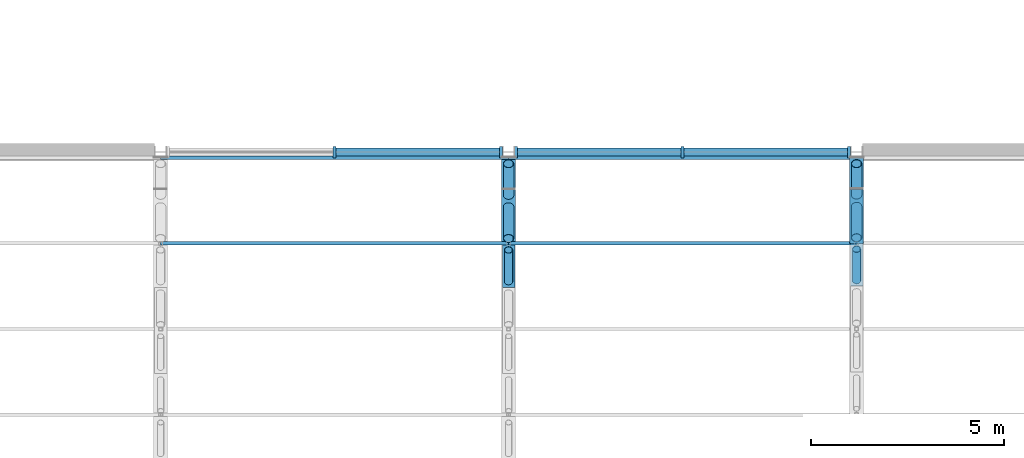
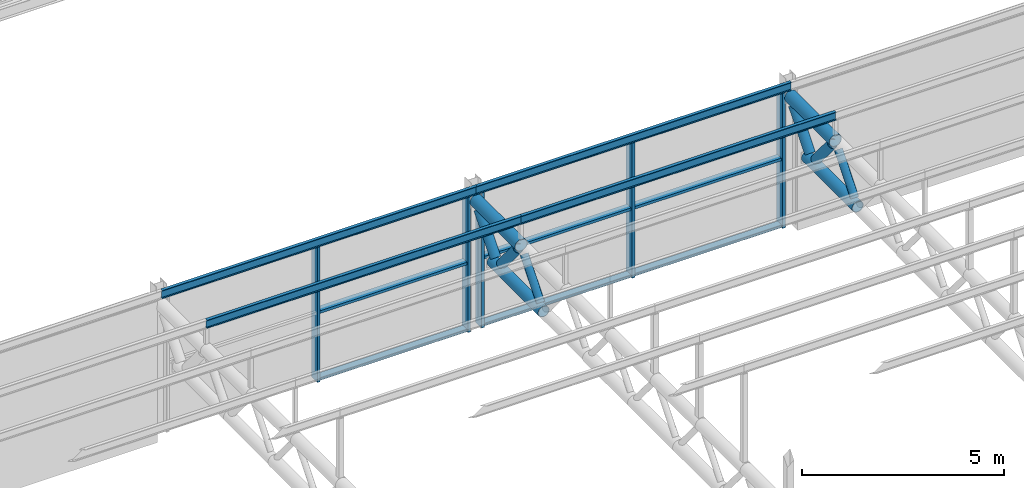
# One storey, part 39 of 138: 28 members, 2 elements without a shape of their own.
"""IFC4 building model written with IfcOpenShell, lengths in metres."""

from ifc_helpers import new_model, si_unit, direction, frame, origin, origin_2d, place, context, subcontext, project, spatial, rectangle, hollow_circle, i_section, extrude, material, layer, layer_set, material_profile, profile_set, type_object, element, aggregate, save


model = new_model("IFC4")

# Units and contexts
model_context = context("Model", 3, precision=1e-05, world=origin(), true_north=direction((0.0, 1.0)))
body_context = subcontext(model_context, "Body", "Model", "MODEL_VIEW")
ifc_project = project(units=[si_unit("LENGTHUNIT", "METRE"), si_unit("AREAUNIT", "SQUARE_METRE"), si_unit("VOLUMEUNIT", "CUBIC_METRE"), si_unit("PLANEANGLEUNIT", "RADIAN"), si_unit("MASSUNIT", "GRAM", prefix="KILO")], contexts=[model_context])

# Site, building, storey
site_placement = place(None, origin())
site = spatial("IfcSite", under=ifc_project, at=site_placement, CompositionType="ELEMENT")
building_placement = place(site_placement, origin())
building = spatial("IfcBuilding", under=site, at=building_placement, Name="Corbel Yard City Hall", CompositionType="ELEMENT")
storey_placement = place(building_placement, frame((0.0, 0.0, 10.5)))
storey = spatial("IfcBuildingStorey", under=building, at=storey_placement, Name="L02", CompositionType="ELEMENT", Elevation=10.5)

# Members
ifc_material_1 = material(Name="Steel Grade 300 (300 MPa yield)", Category="steel")
ifc_material_profile_1 = material_profile(ifc_material_1, i_section(OverallWidth=0.090087890625, OverallDepth=0.25, WebThickness=0.008056640625, FlangeThickness=0.014892578125, at=origin_2d()), Name="250PFC")
ifc_profile_set_1 = profile_set([ifc_material_profile_1], Name="Steel Grade 300 (300 MPa yield)")
member_type_1 = type_object("IfcMemberType", Name="Eaves purlin 250PFC", PredefinedType="PURLIN", material=ifc_profile_set_1)
for number, where, z_axis, x_axis, name in (
    (1, (45.0, 26.847412109375, 4.24658203125), (1.0, 0.0, 0.0), (0.0, 1.0, 0.0), "Eaves purlin 250PFC PU2"),
    (2, (54.0, 26.847412109375, 4.24658203125), (1.0, 0.0, 0.0), (0.0, 1.0, 0.0), "Eaves purlin 250PFC PU2"),
):
    element("IfcMember", number, at=place(storey_placement, frame(where, z_axis=z_axis, x_axis=x_axis)), inside=storey, type_object=member_type_1, Name=name, PredefinedType="PURLIN", context=body_context, shape_type="SweptSolid", body=[
        extrude(i_section(OverallWidth=0.090087890625, OverallDepth=0.25, WebThickness=0.008056640625, FlangeThickness=0.014892578125, at=origin_2d()), origin(), (0.0, 0.0, 1.0), 9.0),
    ])
ifc_material_2 = material(Name="Steel Grade C350L0", Category="steel")
ifc_material_profile_2 = material_profile(ifc_material_2, hollow_circle(Radius=0.161865234375, WallThickness=0.0126953125, at=origin_2d()), Name="323.9x12.7CHS")
ifc_profile_set_2 = profile_set([ifc_material_profile_2], Name="Steel Grade C350L0")
member_type_2 = type_object("IfcMemberType", Name="Hall roof truss bottom chord 323.9x12.7CHS", PredefinedType="CHORD", material=ifc_profile_set_2)
member_1_placement = place(storey_placement, frame((54.0, 23.5009765625, 2.59228515625), z_axis=(0.0, 1.0, 0.0), x_axis=(-1.0, 0.0, 0.0)))
element("IfcMember", 3, at=member_1_placement, inside=storey, type_object=member_type_2, Name="Hall roof truss bottom chord 323.9x12.7CHS TC2", PredefinedType="CHORD", context=body_context, shape_type="SweptSolid", body=[
    extrude(hollow_circle(Radius=0.161865234375, WallThickness=0.0126953125, at=origin_2d()), origin(), (0.0, 0.0, 1.0), 2.531005859375),
])
member_2_placement = place(storey_placement, frame((63.0, 23.52978515625, 2.59228515625), z_axis=(0.0, 1.0, 0.0), x_axis=(-1.0, 0.0, 0.0)))
element("IfcMember", 4, at=member_2_placement, inside=storey, type_object=member_type_2, Name="Hall roof truss bottom chord 323.9x12.7CHS TC2", PredefinedType="CHORD", context=body_context, shape_type="SweptSolid", body=[
    extrude(hollow_circle(Radius=0.161865234375, WallThickness=0.0126953125, at=origin_2d()), origin(), (0.0, 0.0, 1.0), 2.51171875),
])
ifc_material_profile_3 = material_profile(ifc_material_2, hollow_circle(Radius=0.109619140625, WallThickness=0.00830078125, at=origin_2d()), Name="219.1x8.2CHS")
ifc_profile_set_3 = profile_set([ifc_material_profile_3], Name="Steel Grade C350L0")
member_type_3 = type_object("IfcMemberType", Name="Hall roof truss diagonal 219.1x8.2CHS", PredefinedType="STRUT", material=ifc_profile_set_3)
member_3_placement = place(storey_placement, frame((54.0, 23.650146484375, 2.77001953125), z_axis=(0.0, 0.642692233301, 0.766124463292), x_axis=(-1.0, 0.0, 0.0)))
element("IfcMember", 5, at=member_3_placement, inside=storey, type_object=member_type_3, Name="Hall roof truss diagonal 219.1x8.2CHS TD2", PredefinedType="STRUT", context=body_context, shape_type="SweptSolid", body=[
    extrude(hollow_circle(Radius=0.109619140625, WallThickness=0.00830078125, at=origin_2d()), origin(), (0.0, 0.0, 1.0), 1.271728515625),
])
member_4_placement = place(storey_placement, frame((63.0, 23.677490234375, 2.77001953125), z_axis=(0.0, 0.639407153698, 0.768868318894), x_axis=(-1.0, 0.0, 0.0)))
element("IfcMember", 6, at=member_4_placement, inside=storey, type_object=member_type_3, Name="Hall roof truss diagonal 219.1x8.2CHS TD2", PredefinedType="STRUT", context=body_context, shape_type="SweptSolid", body=[
    extrude(hollow_circle(Radius=0.109619140625, WallThickness=0.00830078125, at=origin_2d()), origin(), (0.0, 0.0, 1.0), 1.267333984375),
])
ifc_material_profile_4 = material_profile(ifc_material_2, hollow_circle(Radius=0.136474609375, WallThickness=0.00927734375, at=origin_2d()), Name="273.1x9.3CHS")
ifc_profile_set_4 = profile_set([ifc_material_profile_4], Name="Steel Grade C350L0")
member_type_4 = type_object("IfcMemberType", Name="Hall roof truss diagonal 273.1x9.3CHS", PredefinedType="STRUT", material=ifc_profile_set_4)
for number, where, z_axis, x_axis, name in (
    (7, (54.0, 24.765625, 3.744384765625), (0.0, 0.642692233301, -0.766124463292), (-1.0, 0.0, 0.0), "Hall roof truss diagonal 273.1x9.3CHS TD1"),
    (8, (54.0, 25.881103515625, 2.77001953125), (0.0, 0.642692233301, 0.766124463292), (-1.0, 0.0, 0.0), "Hall roof truss diagonal 273.1x9.3CHS TD1"),
):
    element("IfcMember", number, at=place(storey_placement, frame(where, z_axis=z_axis, x_axis=x_axis)), inside=storey, type_object=member_type_4, Name=name, PredefinedType="STRUT", context=body_context, shape_type="SweptSolid", body=[
        extrude(hollow_circle(Radius=0.136474609375, WallThickness=0.00927734375, at=origin_2d()), origin(), (0.0, 0.0, 1.0), 1.271728515625),
    ])
for number, where, z_axis, x_axis, name in (
    (9, (63.0, 24.783447265625, 3.744384765625), (0.0, 0.639407153698, -0.768868318894), (-1.0, 0.0, 0.0), "Hall roof truss diagonal 273.1x9.3CHS TD1"),
    (10, (63.0, 25.889404296875, 2.77001953125), (0.0, 0.639407153698, 0.768868318894), (-1.0, 0.0, 0.0), "Hall roof truss diagonal 273.1x9.3CHS TD1"),
):
    element("IfcMember", number, at=place(storey_placement, frame(where, z_axis=z_axis, x_axis=x_axis)), inside=storey, type_object=member_type_4, Name=name, PredefinedType="STRUT", context=body_context, shape_type="SweptSolid", body=[
        extrude(hollow_circle(Radius=0.136474609375, WallThickness=0.00927734375, at=origin_2d()), origin(), (0.0, 0.0, 1.0), 1.267333984375),
    ])
ifc_material_profile_5 = material_profile(ifc_material_2, hollow_circle(Radius=0.177734375, WallThickness=0.0126953125, at=origin_2d()), Name="355.6x12.7CHS")
ifc_profile_set_5 = profile_set([ifc_material_profile_5], Name="Steel Grade C350L0")
member_type_5 = type_object("IfcMemberType", Name="Hall roof truss top chord 355.6x12.7CHS", PredefinedType="CHORD", material=ifc_profile_set_5)
member_5_placement = place(storey_placement, frame((54.0, 24.616455078125, 3.922119140625), z_axis=(0.0, 1.0, 0.0), x_axis=(-1.0, 0.0, 0.0)))
element("IfcMember", 11, at=member_5_placement, inside=storey, type_object=member_type_5, Name="Hall roof truss top chord 355.6x12.7CHS TC1", PredefinedType="CHORD", context=body_context, shape_type="SweptSolid", body=[
    extrude(hollow_circle(Radius=0.177734375, WallThickness=0.0126953125, at=origin_2d()), origin(), (0.0, 0.0, 1.0), 2.23095703125),
])
member_6_placement = place(storey_placement, frame((63.0, 24.6357421875, 3.922119140625), z_axis=(0.0, 1.0, 0.0), x_axis=(-1.0, 0.0, 0.0)))
element("IfcMember", 12, at=member_6_placement, inside=storey, type_object=member_type_5, Name="Hall roof truss top chord 355.6x12.7CHS TC1", PredefinedType="CHORD", context=body_context, shape_type="SweptSolid", body=[
    extrude(hollow_circle(Radius=0.177734375, WallThickness=0.0126953125, at=origin_2d()), origin(), (0.0, 0.0, 1.0), 2.211669921875),
])

# Curtain wall, members
ifc_material_3 = material(Name="Aluminium extrusion", Category="aluminium")
ifc_layer = layer(ifc_material_3, 0.300048828125)
ifc_layer_set = layer_set([ifc_layer], Name="Aluminium extrusion")
curtain_wall_type = type_object("IfcCurtainWallType", Name="CW7", PredefinedType="USERDEFINED", material=ifc_layer_set)
curtain_wall_1_placement = place(storey_placement, origin())
curtain_wall_1 = element("IfcCurtainWall", 13, at=curtain_wall_1_placement, inside=storey, type_object=curtain_wall_type, Name="Curtain wall CW7 L02", ObjectType="CURTAIN WALL", PredefinedType="USERDEFINED")
ifc_material_profile_6 = material_profile(ifc_material_3, rectangle(XDim=0.300048828125, YDim=0.080078125, at=origin_2d()), Name="300x80")
ifc_profile_set_6 = profile_set([ifc_material_profile_6], Name="Aluminium extrusion")
member_type_6 = type_object("IfcMemberType", Name="ML7", PredefinedType="MULLION", material=ifc_profile_set_6)
member_7_placement = place(storey_placement, frame((49.5, 27.0, 0.0), z_axis=(0.0, 0.0, 1.0), x_axis=(0.0, 1.0, 0.0)))
member_7 = element("IfcMember", 14, at=member_7_placement, type_object=member_type_6, Name="CW7 mullion 2", PredefinedType="MULLION", context=body_context, shape_type="SweptSolid", body=[
    extrude(rectangle(XDim=0.300048828125, YDim=0.080078125, at=origin_2d()), origin(), (0.0, 0.0, 1.0), 4.12158203125),
])
member_8_placement = place(storey_placement, frame((53.805908203125, 27.0, 0.0), z_axis=(0.0, 0.0, 1.0), x_axis=(0.0, 1.0, 0.0)))
member_8 = element("IfcMember", 15, at=member_8_placement, type_object=member_type_6, Name="CW7 mullion 3", PredefinedType="MULLION", context=body_context, shape_type="SweptSolid", body=[
    extrude(rectangle(XDim=0.300048828125, YDim=0.080078125, at=origin_2d()), origin(), (0.0, 0.0, 1.0), 4.12158203125),
])

curtain_wall_2_placement = place(storey_placement, origin())
curtain_wall_2 = element("IfcCurtainWall", 16, at=curtain_wall_2_placement, inside=storey, type_object=curtain_wall_type, Name="Curtain wall CW7 L02", ObjectType="CURTAIN WALL", PredefinedType="USERDEFINED")
member_9_placement = place(storey_placement, frame((54.194091796875, 27.0, 0.0), z_axis=(0.0, 0.0, 1.0), x_axis=(0.0, 1.0, 0.0)))
member_9 = element("IfcMember", 17, at=member_9_placement, type_object=member_type_6, Name="CW7 mullion 1", PredefinedType="MULLION", context=body_context, shape_type="SweptSolid", body=[
    extrude(rectangle(XDim=0.300048828125, YDim=0.080078125, at=origin_2d()), origin(), (0.0, 0.0, 1.0), 4.12158203125),
])
member_10_placement = place(storey_placement, frame((58.5, 27.0, 0.0), z_axis=(0.0, 0.0, 1.0), x_axis=(0.0, 1.0, 0.0)))
member_10 = element("IfcMember", 18, at=member_10_placement, type_object=member_type_6, Name="CW7 mullion 2", PredefinedType="MULLION", context=body_context, shape_type="SweptSolid", body=[
    extrude(rectangle(XDim=0.300048828125, YDim=0.080078125, at=origin_2d()), origin(), (0.0, 0.0, 1.0), 4.12158203125),
])
member_11_placement = place(storey_placement, frame((62.805908203125, 27.0, 0.0), z_axis=(0.0, 0.0, 1.0), x_axis=(0.0, 1.0, 0.0)))
member_11 = element("IfcMember", 19, at=member_11_placement, type_object=member_type_6, Name="CW7 mullion 3", PredefinedType="MULLION", context=body_context, shape_type="SweptSolid", body=[
    extrude(rectangle(XDim=0.300048828125, YDim=0.080078125, at=origin_2d()), origin(), (0.0, 0.0, 1.0), 4.12158203125),
])

# Members
ifc_material_profile_7 = material_profile(ifc_material_1, i_section(OverallWidth=0.090087890625, OverallDepth=0.25, WebThickness=0.008056640625, FlangeThickness=0.014892578125, at=origin_2d()), Name="250PFC")
ifc_profile_set_7 = profile_set([ifc_material_profile_7], Name="Steel Grade 300 (300 MPa yield)")
member_type_7 = type_object("IfcMemberType", Name="Purlin 250PFC", PredefinedType="PURLIN", material=ifc_profile_set_7)
for number, where, z_axis, x_axis, name in (
    (20, (45.0, 24.6357421875, 4.68896484375), (1.0, 0.0, 0.0), (0.0, 1.0, 0.0), "Purlin 250PFC PU1"),
    (21, (54.0, 24.6357421875, 4.68896484375), (1.0, 0.0, 0.0), (0.0, 1.0, 0.0), "Purlin 250PFC PU1"),
):
    element("IfcMember", number, at=place(storey_placement, frame(where, z_axis=z_axis, x_axis=x_axis)), inside=storey, type_object=member_type_7, Name=name, PredefinedType="PURLIN", context=body_context, shape_type="SweptSolid", body=[
        extrude(i_section(OverallWidth=0.090087890625, OverallDepth=0.25, WebThickness=0.008056640625, FlangeThickness=0.014892578125, at=origin_2d()), origin(), (0.0, 0.0, 1.0), 9.0),
    ])

# Member
ifc_material_profile_8 = material_profile(ifc_material_3, rectangle(XDim=0.199951171875, YDim=0.080078125, at=origin_2d()), Name="200x80")
ifc_profile_set_8 = profile_set([ifc_material_profile_8], Name="Aluminium extrusion")
member_type_8 = type_object("IfcMemberType", Name="TR7", PredefinedType="USERDEFINED", material=ifc_profile_set_8)
member_12_placement = place(storey_placement, frame((49.5400390625, 27.0, 0.0400390625), z_axis=(1.0, 0.0, 0.0), x_axis=(0.0, 1.0, 0.0)))
member_12 = element("IfcMember", 22, at=member_12_placement, type_object=member_type_8, Name="CW7 transom 2.1", ObjectType="TRANSOM", PredefinedType="USERDEFINED", context=body_context, shape_type="SweptSolid", body=[
    extrude(rectangle(XDim=0.199951171875, YDim=0.080078125, at=origin_2d()), origin(), (0.0, 0.0, 1.0), 4.22607421875),
])

member_13_placement = place(storey_placement, frame((49.5400390625, 27.0, 2.060791015625), z_axis=(1.0, 0.0, 0.0), x_axis=(0.0, 1.0, 0.0)))
member_13 = element("IfcMember", 23, at=member_13_placement, type_object=member_type_8, Name="CW7 transom 2.2", ObjectType="TRANSOM", PredefinedType="USERDEFINED", context=body_context, shape_type="SweptSolid", body=[
    extrude(rectangle(XDim=0.199951171875, YDim=0.080078125, at=origin_2d()), origin(), (0.0, 0.0, 1.0), 4.22607421875),
])

member_14_placement = place(storey_placement, frame((49.5400390625, 27.0, 4.08154296875), z_axis=(1.0, 0.0, 0.0), x_axis=(0.0, 1.0, 0.0)))
member_14 = element("IfcMember", 24, at=member_14_placement, type_object=member_type_8, Name="CW7 transom 2.3", ObjectType="TRANSOM", PredefinedType="USERDEFINED", context=body_context, shape_type="SweptSolid", body=[
    extrude(rectangle(XDim=0.199951171875, YDim=0.080078125, at=origin_2d()), origin(), (0.0, 0.0, 1.0), 4.22607421875),
])

aggregate(curtain_wall_1, [member_7, member_8, member_12, member_13, member_14])

member_15_placement = place(storey_placement, frame((54.23388671875, 27.0, 0.0400390625), z_axis=(1.0, 0.0, 0.0), x_axis=(0.0, 1.0, 0.0)))
member_15 = element("IfcMember", 25, at=member_15_placement, type_object=member_type_8, Name="CW7 transom 1.1", ObjectType="TRANSOM", PredefinedType="USERDEFINED", context=body_context, shape_type="SweptSolid", body=[
    extrude(rectangle(XDim=0.199951171875, YDim=0.080078125, at=origin_2d()), origin(), (0.0, 0.0, 1.0), 4.22607421875),
])

member_16_placement = place(storey_placement, frame((54.23388671875, 27.0, 2.060791015625), z_axis=(1.0, 0.0, 0.0), x_axis=(0.0, 1.0, 0.0)))
member_16 = element("IfcMember", 26, at=member_16_placement, type_object=member_type_8, Name="CW7 transom 1.2", ObjectType="TRANSOM", PredefinedType="USERDEFINED", context=body_context, shape_type="SweptSolid", body=[
    extrude(rectangle(XDim=0.199951171875, YDim=0.080078125, at=origin_2d()), origin(), (0.0, 0.0, 1.0), 4.22607421875),
])

member_17_placement = place(storey_placement, frame((54.23388671875, 27.0, 4.08154296875), z_axis=(1.0, 0.0, 0.0), x_axis=(0.0, 1.0, 0.0)))
member_17 = element("IfcMember", 27, at=member_17_placement, type_object=member_type_8, Name="CW7 transom 1.3", ObjectType="TRANSOM", PredefinedType="USERDEFINED", context=body_context, shape_type="SweptSolid", body=[
    extrude(rectangle(XDim=0.199951171875, YDim=0.080078125, at=origin_2d()), origin(), (0.0, 0.0, 1.0), 4.22607421875),
])

member_18_placement = place(storey_placement, frame((58.5400390625, 27.0, 0.0400390625), z_axis=(1.0, 0.0, 0.0), x_axis=(0.0, 1.0, 0.0)))
member_18 = element("IfcMember", 28, at=member_18_placement, type_object=member_type_8, Name="CW7 transom 2.1", ObjectType="TRANSOM", PredefinedType="USERDEFINED", context=body_context, shape_type="SweptSolid", body=[
    extrude(rectangle(XDim=0.199951171875, YDim=0.080078125, at=origin_2d()), origin(), (0.0, 0.0, 1.0), 4.22607421875),
])

member_19_placement = place(storey_placement, frame((58.5400390625, 27.0, 2.060791015625), z_axis=(1.0, 0.0, 0.0), x_axis=(0.0, 1.0, 0.0)))
member_19 = element("IfcMember", 29, at=member_19_placement, type_object=member_type_8, Name="CW7 transom 2.2", ObjectType="TRANSOM", PredefinedType="USERDEFINED", context=body_context, shape_type="SweptSolid", body=[
    extrude(rectangle(XDim=0.199951171875, YDim=0.080078125, at=origin_2d()), origin(), (0.0, 0.0, 1.0), 4.22607421875),
])

member_20_placement = place(storey_placement, frame((58.5400390625, 27.0, 4.08154296875), z_axis=(1.0, 0.0, 0.0), x_axis=(0.0, 1.0, 0.0)))
member_20 = element("IfcMember", 30, at=member_20_placement, type_object=member_type_8, Name="CW7 transom 2.3", ObjectType="TRANSOM", PredefinedType="USERDEFINED", context=body_context, shape_type="SweptSolid", body=[
    extrude(rectangle(XDim=0.199951171875, YDim=0.080078125, at=origin_2d()), origin(), (0.0, 0.0, 1.0), 4.22607421875),
])

aggregate(curtain_wall_2, [member_9, member_10, member_11, member_15, member_16, member_17, member_18, member_19, member_20])

save(model, "model.ifc")
